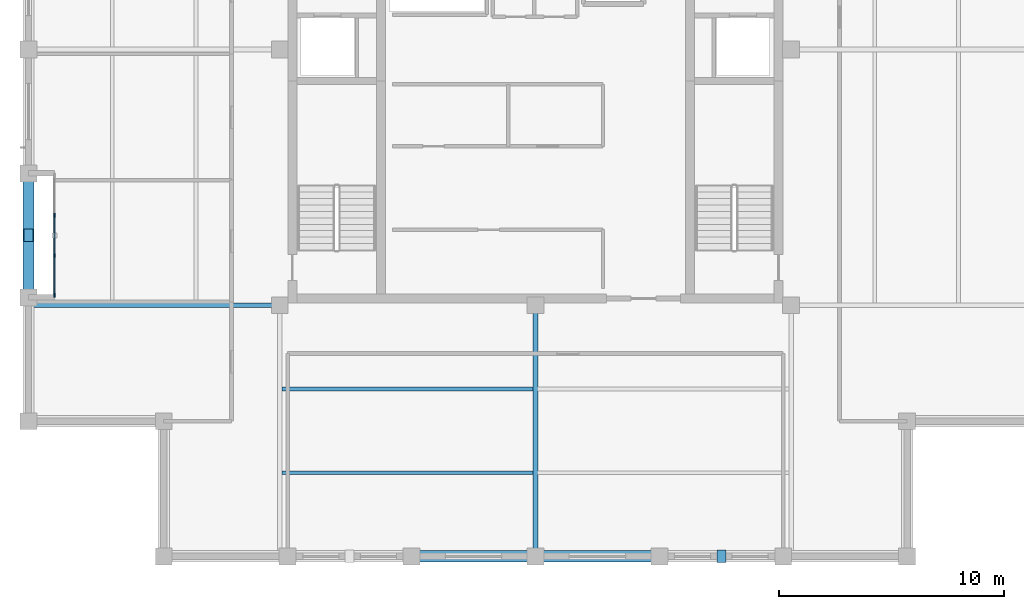
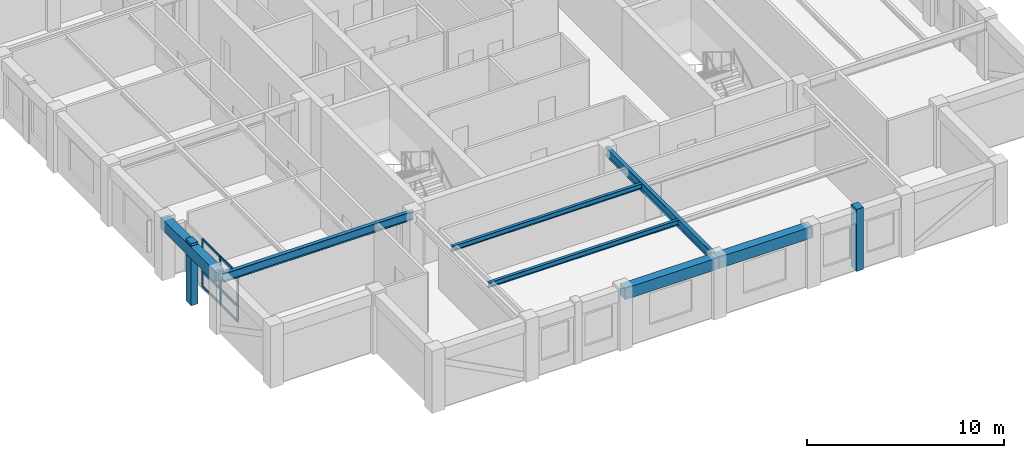
# One storey, part 2 of 13: 11 members, 7 beams, 1 element without a shape of its own.
"""IFC4 building model written with IfcOpenShell, lengths in metres."""

from ifc_helpers import new_model, si_unit, direction, frame, origin, origin_2d, place, context, subcontext, project, spatial, rectangle, i_section, extrude, material, layer, layer_set, material_profile, profile_set, type_object, element, aggregate, save


model = new_model("IFC4")

# Units and contexts
model_context = context("Model", 3, precision=1e-05, world=origin(), true_north=direction((0.0, 1.0)))
body_context = subcontext(model_context, "Body", "Model", "MODEL_VIEW")
ifc_project = project(units=[si_unit("LENGTHUNIT", "METRE"), si_unit("AREAUNIT", "SQUARE_METRE"), si_unit("VOLUMEUNIT", "CUBIC_METRE"), si_unit("PLANEANGLEUNIT", "RADIAN"), si_unit("MASSUNIT", "GRAM", prefix="KILO")], contexts=[model_context])

# Site, building, storey
site_placement = place(None, origin())
site = spatial("IfcSite", under=ifc_project, at=site_placement, CompositionType="ELEMENT")
building_placement = place(site_placement, origin())
building = spatial("IfcBuilding", under=site, at=building_placement, Name="Nhamokura Convention Tower", CompositionType="ELEMENT")
storey_placement = place(building_placement, frame((0.0, 0.0, 300.64990234375)))
storey = spatial("IfcBuildingStorey", under=building, at=storey_placement, Name="L74", CompositionType="ELEMENT", Elevation=300.64990234375)

# Members
ifc_material_1 = material(Name="Bronze-pigmented precast concrete C45/55", Category="concrete")
ifc_material_profile_1 = material_profile(ifc_material_1, rectangle(XDim=0.39990234375, YDim=0.550048828125, at=origin_2d()))
ifc_profile_set_1 = profile_set([ifc_material_profile_1], Name="Bronze-pigmented precast concrete C45/55")
member_type_1 = type_object("IfcMemberType", Name="BronzePilaster_550", PredefinedType="USERDEFINED", material=ifc_profile_set_1)
for number, where, z_axis, x_axis, name in (
    (1, (40.25, 9.5, 0.0), (0.0, 0.0, 1.0), (1.0, 0.0, 0.0), "L74 Engaged Frame Pilaster SOUTH 4"),
    (2, (9.5, 23.75, 0.0), (0.0, 0.0, 1.0), (1.0, 0.0, 0.0), "L74 Engaged Frame Pilaster WEST 1"),
):
    element("IfcMember", number, at=place(storey_placement, frame(where, z_axis=z_axis, x_axis=x_axis)), inside=storey, type_object=member_type_1, Name=name, ObjectType="PILASTER_TRIM", PredefinedType="USERDEFINED", context=body_context, shape_type="SweptSolid", body=[
        extrude(rectangle(XDim=0.39990234375, YDim=0.550048828125, at=origin_2d()), origin(), (0.0, 0.0, 1.0), 3.85009765625),
    ])

# Curtain wall, members
ifc_material_2 = material(Name="Anodised bronze aluminium AA6063-T6", Category="aluminium")
ifc_layer = layer(ifc_material_2, 0.155029296875)
ifc_layer_set = layer_set([ifc_layer], Name="CWSystem_ScaleSlot_Zone3")
curtain_wall_type = type_object("IfcCurtainWallType", Name="CWSystem_ScaleSlot_Zone3", PredefinedType="NOTDEFINED", material=ifc_layer_set)
curtain_wall_placement = place(storey_placement, origin())
curtain_wall = element("IfcCurtainWall", 3, at=curtain_wall_placement, inside=storey, type_object=curtain_wall_type, Name="L74 Curtain Wall ENV-L74-SLOT-W1", PredefinedType="NOTDEFINED")
ifc_material_3 = material(Name="Anodised bronze aluminium AA6063-T6", Category="aluminium")
ifc_material_profile_2 = material_profile(ifc_material_3, rectangle(XDim=0.06494140625, YDim=0.1650390625, at=origin_2d()))
ifc_profile_set_2 = profile_set([ifc_material_profile_2], Name="Anodised bronze aluminium AA6063-T6")
member_type_2 = type_object("IfcMemberType", Name="CWMullion_3", PredefinedType="MULLION", material=ifc_profile_set_2)
member_1_placement = place(storey_placement, frame((10.64990234375, 21.092529296875, 0.0), z_axis=(0.0, 0.0, 1.0), x_axis=(-1.0, 0.0, 0.0)))
member_1 = element("IfcMember", 4, at=member_1_placement, type_object=member_type_2, Name="CW-05 mullion 1", PredefinedType="MULLION", context=body_context, shape_type="SweptSolid", body=[
    extrude(rectangle(XDim=0.06494140625, YDim=0.1650390625, at=origin_2d()), origin(), (0.0, 0.0, 1.0), 2.985107421875),
])
member_2_placement = place(storey_placement, frame((10.64990234375, 22.853271484375, 0.0), z_axis=(0.0, 0.0, 1.0), x_axis=(-1.0, 0.0, 0.0)))
member_2 = element("IfcMember", 5, at=member_2_placement, type_object=member_type_2, Name="CW-05 mullion 2", PredefinedType="MULLION", context=body_context, shape_type="SweptSolid", body=[
    extrude(rectangle(XDim=0.06494140625, YDim=0.1650390625, at=origin_2d()), origin(), (0.0, 0.0, 1.0), 2.985107421875),
])
member_3_placement = place(storey_placement, frame((10.64990234375, 24.646728515625, 0.0), z_axis=(0.0, 0.0, 1.0), x_axis=(-1.0, 0.0, 0.0)))
member_3 = element("IfcMember", 6, at=member_3_placement, type_object=member_type_2, Name="CW-05 mullion 3", PredefinedType="MULLION", context=body_context, shape_type="SweptSolid", body=[
    extrude(rectangle(XDim=0.06494140625, YDim=0.1650390625, at=origin_2d()), origin(), (0.0, 0.0, 1.0), 2.985107421875),
])
ifc_material_4 = material(Name="Anodised bronze aluminium AA6063-T6", Category="aluminium")
ifc_material_profile_3 = material_profile(ifc_material_4, rectangle(XDim=0.06494140625, YDim=0.139892578125, at=origin_2d()))
ifc_profile_set_3 = profile_set([ifc_material_profile_3], Name="Anodised bronze aluminium AA6063-T6")
member_type_3 = type_object("IfcMemberType", Name="CWTransom_3", PredefinedType="USERDEFINED", material=ifc_profile_set_3)
member_4_placement = place(storey_placement, frame((10.64990234375, 21.125, 0.03271484375), z_axis=(0.0, 1.0, 0.0), x_axis=(-1.0, 0.0, 0.0)))
member_4 = element("IfcMember", 7, at=member_4_placement, type_object=member_type_3, Name="CW-05 transom 1.1", ObjectType="TRANSOM", PredefinedType="USERDEFINED", context=body_context, shape_type="SweptSolid", body=[
    extrude(rectangle(XDim=0.06494140625, YDim=0.139892578125, at=origin_2d()), origin(), (0.0, 0.0, 1.0), 1.69580078125),
])
member_5_placement = place(storey_placement, frame((10.64990234375, 21.125, 0.9501953125), z_axis=(0.0, 1.0, 0.0), x_axis=(-1.0, 0.0, 0.0)))
member_5 = element("IfcMember", 8, at=member_5_placement, type_object=member_type_3, Name="CW-05 transom 1.2", ObjectType="TRANSOM", PredefinedType="USERDEFINED", context=body_context, shape_type="SweptSolid", body=[
    extrude(rectangle(XDim=0.06494140625, YDim=0.139892578125, at=origin_2d()), origin(), (0.0, 0.0, 1.0), 1.69580078125),
])
member_6_placement = place(storey_placement, frame((10.64990234375, 21.125, 2.95263671875), z_axis=(0.0, 1.0, 0.0), x_axis=(-1.0, 0.0, 0.0)))
member_6 = element("IfcMember", 9, at=member_6_placement, type_object=member_type_3, Name="CW-05 transom 1.3", ObjectType="TRANSOM", PredefinedType="USERDEFINED", context=body_context, shape_type="SweptSolid", body=[
    extrude(rectangle(XDim=0.06494140625, YDim=0.139892578125, at=origin_2d()), origin(), (0.0, 0.0, 1.0), 1.69580078125),
])
member_7_placement = place(storey_placement, frame((10.64990234375, 22.8857421875, 0.03271484375), z_axis=(0.0, 1.0, 0.0), x_axis=(-1.0, 0.0, 0.0)))
member_7 = element("IfcMember", 10, at=member_7_placement, type_object=member_type_3, Name="CW-05 transom 2.1", ObjectType="TRANSOM", PredefinedType="USERDEFINED", context=body_context, shape_type="SweptSolid", body=[
    extrude(rectangle(XDim=0.06494140625, YDim=0.139892578125, at=origin_2d()), origin(), (0.0, 0.0, 1.0), 1.728515625),
])
member_8_placement = place(storey_placement, frame((10.64990234375, 22.8857421875, 0.9501953125), z_axis=(0.0, 1.0, 0.0), x_axis=(-1.0, 0.0, 0.0)))
member_8 = element("IfcMember", 11, at=member_8_placement, type_object=member_type_3, Name="CW-05 transom 2.2", ObjectType="TRANSOM", PredefinedType="USERDEFINED", context=body_context, shape_type="SweptSolid", body=[
    extrude(rectangle(XDim=0.06494140625, YDim=0.139892578125, at=origin_2d()), origin(), (0.0, 0.0, 1.0), 1.728515625),
])
member_9_placement = place(storey_placement, frame((10.64990234375, 22.8857421875, 2.95263671875), z_axis=(0.0, 1.0, 0.0), x_axis=(-1.0, 0.0, 0.0)))
member_9 = element("IfcMember", 12, at=member_9_placement, type_object=member_type_3, Name="CW-05 transom 2.3", ObjectType="TRANSOM", PredefinedType="USERDEFINED", context=body_context, shape_type="SweptSolid", body=[
    extrude(rectangle(XDim=0.06494140625, YDim=0.139892578125, at=origin_2d()), origin(), (0.0, 0.0, 1.0), 1.728515625),
])
aggregate(curtain_wall, [member_1, member_2, member_3, member_4, member_5, member_6, member_7, member_8, member_9])

# Beams
ifc_material_5 = material(Name="Steel ASTM A992 Gr 50", Category="steel")
ifc_material_profile_4 = material_profile(ifc_material_5, i_section(OverallWidth=0.166015625, OverallDepth=0.31298828125, WebThickness=0.006591796875, FlangeThickness=0.01123046875, at=origin_2d()))
ifc_profile_set_4 = profile_set([ifc_material_profile_4], Name="Steel ASTM A992 Gr 50")
beam_type_1 = type_object("IfcBeamType", Name="FloorJoist_W310X45", PredefinedType="JOIST", material=ifc_profile_set_4)
for number, where, z_axis, x_axis, name in (
    (13, (20.75244140625, 13.216796875, 3.528564453125), (1.0, 0.0, 0.0), (0.0, 1.0, 0.0), "L74 Composite Floor Joist S1A"),
    (14, (20.75244140625, 16.933349609375, 3.528564453125), (1.0, 0.0, 0.0), (0.0, 1.0, 0.0), "L74 Composite Floor Joist S2A"),
):
    element("IfcBeam", number, at=place(storey_placement, frame(where, z_axis=z_axis, x_axis=x_axis)), inside=storey, type_object=beam_type_1, Name=name, PredefinedType="JOIST", context=body_context, shape_type="SweptSolid", body=[
        extrude(i_section(OverallWidth=0.166015625, OverallDepth=0.31298828125, WebThickness=0.006591796875, FlangeThickness=0.01123046875, at=origin_2d()), origin(), (0.0, 0.0, 1.0), 11.14501953125),
    ])
ifc_material_6 = material(Name="Steel ASTM A992 Gr 50", Category="steel")
ifc_material_profile_5 = material_profile(ifc_material_6, i_section(OverallWidth=0.208984375, OverallDepth=0.532958984375, WebThickness=0.01025390625, FlangeThickness=0.015625, at=origin_2d()))
ifc_profile_set_5 = profile_set([ifc_material_profile_5], Name="Steel ASTM A992 Gr 50")
beam_type_2 = type_object("IfcBeamType", Name="PrimaryGirder_W530X92", PredefinedType="BEAM", material=ifc_profile_set_5)
for number, where, z_axis, x_axis, name in (
    (15, (32.0, 9.5, 3.418701171875), (0.0, 1.0, 0.0), (-1.0, 0.0, 0.0), "L74 Primary Floor Girder PG-S2"),
    (16, (9.5, 20.64990234375, 3.418701171875), (1.0, 0.0, 0.0), (0.0, 1.0, 0.0), "L74 Primary Floor Girder PG-W1"),
):
    element("IfcBeam", number, at=place(storey_placement, frame(where, z_axis=z_axis, x_axis=x_axis)), inside=storey, type_object=beam_type_2, Name=name, PredefinedType="BEAM", context=body_context, shape_type="SweptSolid", body=[
        extrude(i_section(OverallWidth=0.208984375, OverallDepth=0.532958984375, WebThickness=0.01025390625, FlangeThickness=0.015625, at=origin_2d()), origin(), (0.0, 0.0, 1.0), 11.14990234375),
    ])
ifc_material_7 = material(Name="Concrete C50/60", Category="concrete")
ifc_material_profile_6 = material_profile(ifc_material_7, rectangle(XDim=0.5, YDim=0.699951171875, at=origin_2d()))
ifc_profile_set_6 = profile_set([ifc_material_profile_6], Name="Concrete C50/60")
beam_type_3 = type_object("IfcBeamType", Name="TubeSpandrel_700", PredefinedType="SPANDREL", material=ifc_profile_set_6)
for number, where, z_axis, x_axis, name in (
    (17, (26.5, 9.5, 3.335205078125), (1.0, 0.0, 0.0), (0.0, 1.0, 0.0), "L74 Perimeter Spandrel SOUTH 3"),
    (18, (32.0, 9.5, 3.335205078125), (1.0, 0.0, 0.0), (0.0, 1.0, 0.0), "L74 Perimeter Spandrel SOUTH 4"),
    (19, (9.5, 21.0, 3.335205078125), (0.0, 1.0, 0.0), (-1.0, 0.0, 0.0), "L74 Perimeter Spandrel WEST 2"),
):
    element("IfcBeam", number, at=place(storey_placement, frame(where, z_axis=z_axis, x_axis=x_axis)), inside=storey, type_object=beam_type_3, Name=name, PredefinedType="SPANDREL", context=body_context, shape_type="SweptSolid", body=[
        extrude(rectangle(XDim=0.5, YDim=0.699951171875, at=origin_2d()), origin(), (0.0, 0.0, 1.0), 5.5),
    ])

save(model, "model.ifc")
